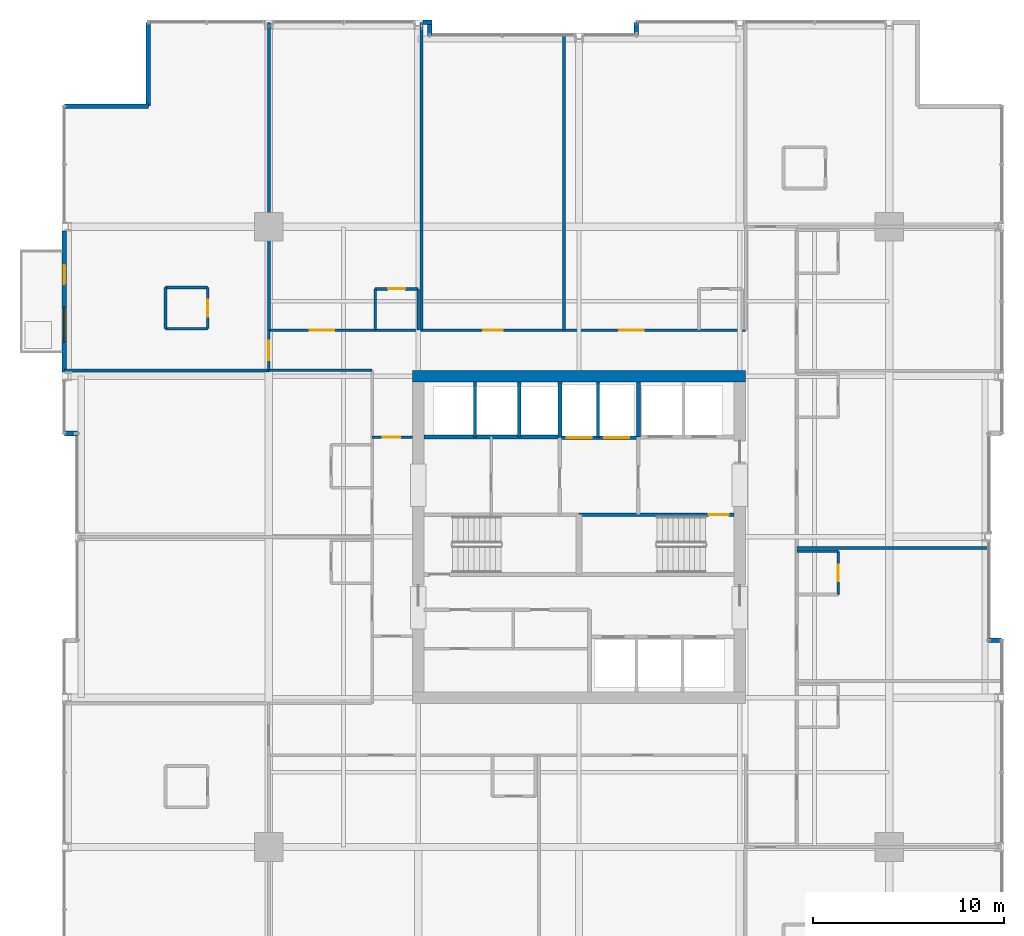
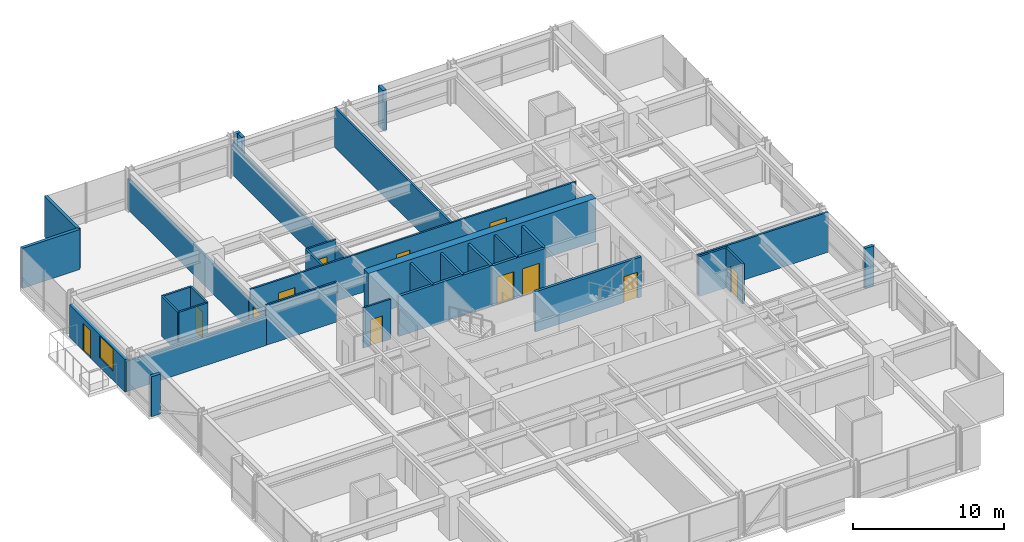
# One storey, part 30 of 34: 35 walls, 12 doors, 1 window, 13 openings.
"""IFC4 building model written with IfcOpenShell, lengths in metres."""

from ifc_helpers import new_model, si_unit, direction, frame, frame_2d, origin, place, context, subcontext, project, spatial, rectangle, extrude, material, layer, layer_set, type_object, element, fill, save


model = new_model("IFC4")

# Units and contexts
model_context = context("Model", 3, precision=1e-05, world=origin(), true_north=direction((0.0, 1.0)))
body_context = subcontext(model_context, "Body", "Model", "MODEL_VIEW")
ifc_project = project(units=[si_unit("LENGTHUNIT", "METRE"), si_unit("AREAUNIT", "SQUARE_METRE"), si_unit("VOLUMEUNIT", "CUBIC_METRE"), si_unit("PLANEANGLEUNIT", "RADIAN"), si_unit("MASSUNIT", "GRAM", prefix="KILO")], contexts=[model_context])

# Site, building, storey
site_placement = place(None, origin())
site = spatial("IfcSite", under=ifc_project, at=site_placement, CompositionType="ELEMENT")
building_placement = place(site_placement, origin())
building = spatial("IfcBuilding", under=site, at=building_placement, Name="Drelvath Grand Hotel", CompositionType="ELEMENT")
storey_placement = place(building_placement, frame((0.0, 0.0, 109.300048828125)))
storey = spatial("IfcBuildingStorey", under=building, at=storey_placement, Name="L27", CompositionType="ELEMENT", Elevation=109.300048828125)

# Wall
ifc_material_1 = material(Name="Concrete C40/50", Category="concrete")
ifc_layer_1 = layer(ifc_material_1, 0.199951171875)
ifc_layer_set_1 = layer_set([ifc_layer_1], Name="Concrete C40/50")
wall_type_1 = type_object("IfcWallType", Name="Core Hoistway Fire Wall 200", PredefinedType="SOLIDWALL", material=ifc_layer_set_1)
wall_1_placement = place(storey_placement, frame((3.10009765625, 32.219970703125, 0.0), z_axis=(0.0, 0.0, 1.0), x_axis=(0.0, 1.0, 0.0)))
element("IfcWall", 1, at=wall_1_placement, inside=storey, type_object=wall_type_1, Name="L27 FSAE Hoistway West Wall", PredefinedType="SOLIDWALL", context=body_context, shape_type="SweptSolid", body=[
    extrude(rectangle(XDim=2.880126953125, YDim=0.199951171875, at=frame_2d((1.43994140625, 0.0))), origin(), (0.0, 0.0, 1.0), 3.239990234375),
])

# Wall, openings, doors
wall_2_placement = place(storey_placement, frame((-1.0, 32.179931640625, 0.0), z_axis=(0.0, 0.0, 1.0), x_axis=(1.0, 0.0, 0.0)))
wall_2 = element("IfcWall", 2, at=wall_2_placement, inside=storey, type_object=wall_type_1, Name="L27 Service Lift Hoistway Wall", PredefinedType="SOLIDWALL", context=body_context, shape_type="SweptSolid", body=[
    extrude(rectangle(XDim=4.10009765625, YDim=0.199951171875, at=frame_2d((2.050048828125, 0.0))), origin(), (0.0, 0.0, 1.0), 3.239990234375),
])
opening_1_placement = place(wall_2_placement, frame((0.3701171875, 0.0, 0.0)))
opening_1 = element("IfcOpeningElement", 3, at=opening_1_placement, cuts=wall_2, Name="Opening LD-SV-2", PredefinedType="OPENING", context=body_context, shape_type="SweptSolid", body=[
    extrude(rectangle(XDim=1.300048828125, YDim=2.199951171875, at=frame_2d((0.64990234375, 1.10009765625))), frame((0.0, 0.10986328125, 0.0), z_axis=(0.0, -1.0, 0.0), x_axis=(1.0, 0.0, 0.0)), (0.0, 0.0, 1.0), 0.219970703125),
])
opening_2_placement = place(wall_2_placement, frame((2.330078125, 0.0, 0.0)))
opening_2 = element("IfcOpeningElement", 4, at=opening_2_placement, cuts=wall_2, Name="Opening LD-SV-1", PredefinedType="OPENING", context=body_context, shape_type="SweptSolid", body=[
    extrude(rectangle(XDim=1.300048828125, YDim=2.199951171875, at=frame_2d((0.64990234375, 1.10009765625))), frame((0.0, 0.10986328125, 0.0), z_axis=(0.0, -1.0, 0.0), x_axis=(1.0, 0.0, 0.0)), (0.0, 0.0, 1.0), 0.219970703125),
])
ifc_material_2 = material(Name="Stainless Steel S355", Category="steel")
door_type_1 = type_object("IfcDoorType", Name="Service Lift Sliding Landing Door 1300x2200", OperationType="NOTDEFINED", PredefinedType="DOOR", material=ifc_material_2)
door_1_placement = place(opening_1_placement, origin())
door_1 = element("IfcDoor", 5, at=door_1_placement, inside=storey, type_object=door_type_1, Name="L27 Lift SV-2 Landing Door", OperationType="SLIDING_TO_LEFT", OverallHeight=2.199951171875, OverallWidth=1.300048828125, PredefinedType="DOOR", context=body_context, shape_type="SweptSolid", body=[
    extrude(rectangle(XDim=1.300048828125, YDim=2.199951171875, at=frame_2d((0.64990234375, 1.10009765625))), frame((0.0, 0.02490234375, 0.0), z_axis=(0.0, -1.0, 0.0), x_axis=(1.0, 0.0, 0.0)), (0.0, 0.0, 1.0), 0.050048828125),
])
fill(opening_1, door_1)
door_2_placement = place(opening_2_placement, origin())
door_2 = element("IfcDoor", 6, at=door_2_placement, inside=storey, type_object=door_type_1, Name="L27 Lift SV-1 Landing Door", OperationType="SLIDING_TO_LEFT", OverallHeight=2.199951171875, OverallWidth=1.300048828125, PredefinedType="DOOR", context=body_context, shape_type="SweptSolid", body=[
    extrude(rectangle(XDim=1.300048828125, YDim=2.199951171875, at=frame_2d((0.64990234375, 1.10009765625))), frame((0.0, 0.02490234375, 0.0), z_axis=(0.0, -1.0, 0.0), x_axis=(1.0, 0.0, 0.0)), (0.0, 0.0, 1.0), 0.050048828125),
])
fill(opening_2, door_2)

# Walls
wall_3_placement = place(storey_placement, frame((-1.0, 32.179931640625, 0.0), z_axis=(0.0, 0.0, 1.0), x_axis=(0.0, 1.0, 0.0)))
element("IfcWall", 7, at=wall_3_placement, inside=storey, type_object=wall_type_1, Name="L27 Service Lift West Wall", PredefinedType="SOLIDWALL", context=body_context, shape_type="SweptSolid", body=[
    extrude(rectangle(XDim=2.920166015625, YDim=0.199951171875, at=frame_2d((1.4599609375, 0.0))), origin(), (0.0, 0.0, 1.0), 3.239990234375),
])
wall_4_placement = place(storey_placement, frame((-8.10009765625, 32.219970703125, 0.0), z_axis=(0.0, 0.0, 1.0), x_axis=(1.0, 0.0, 0.0)))
element("IfcWall", 8, at=wall_4_placement, inside=storey, type_object=wall_type_1, Name="L27 Bank 3 Hoistway Wall", PredefinedType="SOLIDWALL", context=body_context, shape_type="SweptSolid", body=[
    extrude(rectangle(XDim=7.10009765625, YDim=0.199951171875, at=frame_2d((3.550048828125, 0.0))), origin(), (0.0, 0.0, 1.0), 3.239990234375),
])

# Wall, opening, door
ifc_layer_2 = layer(ifc_material_1, 0.199951171875)
ifc_layer_set_2 = layer_set([ifc_layer_2], Name="Concrete C40/50")
wall_type_2 = type_object("IfcWallType", Name="Core Shaft Fire Wall 200", PredefinedType="SOLIDWALL", material=ifc_layer_set_2)
wall_5_placement = place(storey_placement, frame((8.10009765625, 28.159912109375, 0.0), z_axis=(0.0, 0.0, 1.0), x_axis=(-1.0, 0.0, 0.0)))
wall_5 = element("IfcWall", 9, at=wall_5_placement, inside=storey, type_object=wall_type_2, Name="L27 Stair ST-2 North Wall", PredefinedType="SOLIDWALL", context=body_context, shape_type="SweptSolid", body=[
    extrude(rectangle(XDim=8.10009765625, YDim=0.199951171875, at=frame_2d((4.050048828125, 0.0))), origin(), (0.0, 0.0, 1.0), 3.239990234375),
])
opening_3_placement = place(wall_5_placement, frame((0.280029296875, 0.0, 0.0)))
opening_3 = element("IfcOpeningElement", 10, at=opening_3_placement, cuts=wall_5, Name="Opening D-T2G2-002", PredefinedType="OPENING", context=body_context, shape_type="SweptSolid", body=[
    extrude(rectangle(XDim=1.050048828125, YDim=2.10009765625, at=frame_2d((0.52490234375, 1.050048828125))), frame((0.0, 0.10986328125, 0.0), z_axis=(0.0, -1.0, 0.0), x_axis=(1.0, 0.0, 0.0)), (0.0, 0.0, 1.0), 0.219970703125),
])
ifc_material_3 = material(Name="Painted Steel S275", Category="steel")
door_type_2 = type_object("IfcDoorType", Name="Tower Stairwell Fire Door 1050x2100", OperationType="NOTDEFINED", PredefinedType="DOOR", material=ifc_material_3)
door_3_placement = place(opening_3_placement, origin())
door_3 = element("IfcDoor", 11, at=door_3_placement, inside=storey, type_object=door_type_2, Name="L27 Exit Stair ST-2 Door", OperationType="SINGLE_SWING_LEFT", OverallHeight=2.10009765625, OverallWidth=1.050048828125, PredefinedType="DOOR", context=body_context, shape_type="SweptSolid", body=[
    extrude(rectangle(XDim=1.050048828125, YDim=2.10009765625, at=frame_2d((0.52490234375, 1.050048828125))), frame((0.0, 0.02490234375, 0.0), z_axis=(0.0, -1.0, 0.0), x_axis=(1.0, 0.0, 0.0)), (0.0, 0.0, 1.0), 0.050048828125),
])
fill(opening_3, door_3)

# Walls
ifc_material_4 = material(Name="Gypsum Fireboard Partition")
ifc_layer_3 = layer(ifc_material_4, 0.1650390625)
ifc_layer_set_3 = layer_set([ifc_layer_3], Name="Gypsum Fireboard Partition")
wall_type_3 = type_object("IfcWallType", Name="Core Shaft Partition 165", PredefinedType="PARTITIONING", material=ifc_layer_set_3)
wall_6_placement = place(storey_placement, frame((1.0, 32.179931640625, 0.0), z_axis=(0.0, 0.0, 1.0), x_axis=(0.0, 1.0, 0.0)))
element("IfcWall", 12, at=wall_6_placement, inside=storey, type_object=wall_type_3, Name="L27 Service Lift Divider", PredefinedType="PARTITIONING", context=body_context, shape_type="SweptSolid", body=[
    extrude(rectangle(XDim=2.920166015625, YDim=0.1650390625, at=frame_2d((1.4599609375, 0.0))), origin(), (0.0, 0.0, 1.0), 3.239990234375),
])
for number, where, z_axis, x_axis, name in (
    (13, (-5.43994140625, 32.219970703125, 0.0), (0.0, 0.0, 1.0), (0.0, 1.0, 0.0), "L27 Lift PE-7/8 Divider"),
    (14, (-3.1201171875, 32.219970703125, 0.0), (0.0, 0.0, 1.0), (0.0, 1.0, 0.0), "L27 Lift PE-8/9 Divider"),
):
    element("IfcWall", number, at=place(storey_placement, frame(where, z_axis=z_axis, x_axis=x_axis)), inside=storey, type_object=wall_type_3, Name=name, PredefinedType="PARTITIONING", context=body_context, shape_type="SweptSolid", body=[
        extrude(rectangle(XDim=2.880126953125, YDim=0.1650390625, at=frame_2d((1.43994140625, 0.0))), origin(), (0.0, 0.0, 1.0), 3.239990234375),
    ])

# Wall, opening, door
ifc_layer_4 = layer(ifc_material_4, 0.135009765625)
ifc_layer_set_4 = layer_set([ifc_layer_4], Name="Gypsum Fireboard Partition")
wall_type_4 = type_object("IfcWallType", Name="Corridor Fire Barrier Wall 135", PredefinedType="PARTITIONING", material=ifc_layer_set_4)
wall_7_placement = place(storey_placement, frame((-10.800048828125, 32.199951171875, 0.0), z_axis=(0.0, 0.0, 1.0), x_axis=(1.0, 0.0, 0.0)))
wall_7 = element("IfcWall", 15, at=wall_7_placement, inside=storey, type_object=wall_type_4, Name="L27 West Foyer North Wall", PredefinedType="PARTITIONING", context=body_context, shape_type="SweptSolid", body=[
    extrude(rectangle(XDim=2.10009765625, YDim=0.135009765625, at=frame_2d((1.050048828125, 0.0))), origin(), (0.0, 0.0, 1.0), 3.239990234375),
])
opening_4_placement = place(wall_7_placement, frame((0.550048828125, 0.0, 0.0)))
opening_4 = element("IfcOpeningElement", 16, at=opening_4_placement, cuts=wall_7, Name="Opening D-T2G2-020", PredefinedType="OPENING", context=body_context, shape_type="SweptSolid", body=[
    extrude(rectangle(XDim=0.919921875, YDim=2.10009765625, at=frame_2d((0.4599609375, 1.050048828125))), frame((0.0, 0.077392578125, 0.0), z_axis=(0.0, -1.0, 0.0), x_axis=(1.0, 0.0, 0.0)), (0.0, 0.0, 1.0), 0.155029296875),
])
door_type_3 = type_object("IfcDoorType", Name="Staff Utility Door 920x2100", OperationType="NOTDEFINED", PredefinedType="DOOR", material=ifc_material_3)
door_4_placement = place(opening_4_placement, origin())
door_4 = element("IfcDoor", 17, at=door_4_placement, inside=storey, type_object=door_type_3, Name="L27 West Pantry Door", OperationType="SINGLE_SWING_LEFT", OverallHeight=2.10009765625, OverallWidth=0.919921875, PredefinedType="DOOR", context=body_context, shape_type="SweptSolid", body=[
    extrude(rectangle(XDim=0.919921875, YDim=2.10009765625, at=frame_2d((0.4599609375, 1.050048828125))), frame((0.0, 0.02490234375, 0.0), z_axis=(0.0, -1.0, 0.0), x_axis=(1.0, 0.0, 0.0)), (0.0, 0.0, 1.0), 0.050048828125),
])
fill(opening_4, door_4)

# Wall
wall_8_placement = place(storey_placement, frame((-16.199951171875, 35.699951171875, 0.0), z_axis=(0.0, 0.0, 1.0), x_axis=(1.0, 0.0, 0.0)))
element("IfcWall", 18, at=wall_8_placement, inside=storey, type_object=wall_type_4, Name="L27 NW Stub South Wall", PredefinedType="PARTITIONING", context=body_context, shape_type="SweptSolid", body=[
    extrude(rectangle(XDim=5.39990234375, YDim=0.135009765625, at=frame_2d((2.699951171875, 0.0))), origin(), (0.0, 0.0, 1.0), 3.239990234375),
])

# Wall, openings, doors
wall_9_placement = place(storey_placement, frame((-16.199951171875, 37.800048828125, 0.0), z_axis=(0.0, 0.0, 1.0), x_axis=(1.0, 0.0, 0.0)))
wall_9 = element("IfcWall", 19, at=wall_9_placement, inside=storey, type_object=wall_type_4, Name="L27 North Stub Corridor Wall", PredefinedType="PARTITIONING", context=body_context, shape_type="SweptSolid", body=[
    extrude(rectangle(XDim=24.89990234375, YDim=0.135009765625, at=frame_2d((12.449951171875, 0.0))), origin(), (0.0, 0.0, 1.0), 3.239990234375),
])
opening_5_placement = place(wall_9_placement, frame((2.14501953125, 0.0, 0.0)))
opening_5 = element("IfcOpeningElement", 20, at=opening_5_placement, cuts=wall_9, Name="Opening D-T2G2-033", PredefinedType="OPENING", context=body_context, shape_type="SweptSolid", body=[
    extrude(rectangle(XDim=1.260009765625, YDim=2.199951171875, at=frame_2d((0.6298828125, 1.10009765625))), frame((0.0, 0.077392578125, 0.0), z_axis=(0.0, -1.0, 0.0), x_axis=(1.0, 0.0, 0.0)), (0.0, 0.0, 1.0), 0.155029296875),
])
opening_6_placement = place(wall_9_placement, frame((11.18701171875, 0.0, 0.0)))
opening_6 = element("IfcOpeningElement", 21, at=opening_6_placement, cuts=wall_9, Name="Opening D-T2G2-034", PredefinedType="OPENING", context=body_context, shape_type="SweptSolid", body=[
    extrude(rectangle(XDim=1.02001953125, YDim=2.14990234375, at=frame_2d((0.510009765625, 1.074951171875))), frame((0.0, 0.077392578125, 0.0), z_axis=(0.0, -1.0, 0.0), x_axis=(1.0, 0.0, 0.0)), (0.0, 0.0, 1.0), 0.155029296875),
])
opening_7_placement = place(wall_9_placement, frame((18.31201171875, 0.0, 0.0)))
opening_7 = element("IfcOpeningElement", 22, at=opening_7_placement, cuts=wall_9, Name="Opening D-T2G2-036", PredefinedType="OPENING", context=body_context, shape_type="SweptSolid", body=[
    extrude(rectangle(XDim=1.260009765625, YDim=2.199951171875, at=frame_2d((0.6298828125, 1.10009765625))), frame((0.0, 0.077392578125, 0.0), z_axis=(0.0, -1.0, 0.0), x_axis=(1.0, 0.0, 0.0)), (0.0, 0.0, 1.0), 0.155029296875),
])
ifc_material_5 = material(Name="Hardwood Walnut Timber", Category="wood")
door_type_4 = type_object("IfcDoorType", Name="Amenity Meeting Fire Door 1020x2150", OperationType="NOTDEFINED", PredefinedType="DOOR", material=ifc_material_5)
door_5_placement = place(opening_6_placement, origin())
door_5 = element("IfcDoor", 23, at=door_5_placement, inside=storey, type_object=door_type_4, Name="L27 Conference Room Entry Door", OperationType="SINGLE_SWING_LEFT", OverallHeight=2.14990234375, OverallWidth=1.02001953125, PredefinedType="DOOR", context=body_context, shape_type="SweptSolid", body=[
    extrude(rectangle(XDim=1.02001953125, YDim=2.14990234375, at=frame_2d((0.510009765625, 1.074951171875))), frame((0.0, 0.02490234375, 0.0), z_axis=(0.0, -1.0, 0.0), x_axis=(1.0, 0.0, 0.0)), (0.0, 0.0, 1.0), 0.050048828125),
])
fill(opening_6, door_5)
door_type_5 = type_object("IfcDoorType", Name="Suite Entrance Fire Door 1260x2200", OperationType="NOTDEFINED", PredefinedType="DOOR", material=ifc_material_5)
door_6_placement = place(opening_5_placement, origin())
door_6 = element("IfcDoor", 24, at=door_6_placement, inside=storey, type_object=door_type_5, Name="L27 Corner Suite Entry Door", OperationType="SINGLE_SWING_RIGHT", OverallHeight=2.199951171875, OverallWidth=1.260009765625, PredefinedType="DOOR", context=body_context, shape_type="SweptSolid", body=[
    extrude(rectangle(XDim=1.260009765625, YDim=2.199951171875, at=frame_2d((0.6298828125, 1.10009765625))), frame((0.0, 0.02490234375, 0.0), z_axis=(0.0, -1.0, 0.0), x_axis=(1.0, 0.0, 0.0)), (0.0, 0.0, 1.0), 0.050048828125),
])
fill(opening_5, door_6)
door_7_placement = place(opening_7_placement, origin())
door_7 = element("IfcDoor", 25, at=door_7_placement, inside=storey, type_object=door_type_5, Name="L27 Corner Suite Entry Door", OperationType="SINGLE_SWING_LEFT", OverallHeight=2.199951171875, OverallWidth=1.260009765625, PredefinedType="DOOR", context=body_context, shape_type="SweptSolid", body=[
    extrude(rectangle(XDim=1.260009765625, YDim=2.199951171875, at=frame_2d((0.6298828125, 1.10009765625))), frame((0.0, 0.02490234375, 0.0), z_axis=(0.0, -1.0, 0.0), x_axis=(1.0, 0.0, 0.0)), (0.0, 0.0, 1.0), 0.050048828125),
])
fill(opening_7, door_7)

# Wall, opening, door
wall_10_placement = place(storey_placement, frame((-16.199951171875, 35.699951171875, 0.0), z_axis=(0.0, 0.0, 1.0), x_axis=(0.0, 1.0, 0.0)))
wall_10 = element("IfcWall", 26, at=wall_10_placement, inside=storey, type_object=wall_type_4, Name="L27 North Stub West End", PredefinedType="PARTITIONING", context=body_context, shape_type="SweptSolid", body=[
    extrude(rectangle(XDim=2.10009765625, YDim=0.135009765625, at=frame_2d((1.050048828125, 0.0))), origin(), (0.0, 0.0, 1.0), 2.45166015625),
])
opening_8_placement = place(wall_10_placement, frame((0.52001953125, 0.0, 0.0)))
opening_8 = element("IfcOpeningElement", 27, at=opening_8_placement, cuts=wall_10, Name="Opening D-T2G2-024", PredefinedType="OPENING", context=body_context, shape_type="SweptSolid", body=[
    extrude(rectangle(XDim=1.02001953125, YDim=2.14990234375, at=frame_2d((0.510009765625, 1.074951171875))), frame((0.0, 0.077392578125, 0.0), z_axis=(0.0, -1.0, 0.0), x_axis=(1.0, 0.0, 0.0)), (0.0, 0.0, 1.0), 0.155029296875),
])
door_8_placement = place(opening_8_placement, origin())
door_8 = element("IfcDoor", 28, at=door_8_placement, inside=storey, type_object=door_type_4, Name="L27 Corner Suite Entry Door", OperationType="SINGLE_SWING_LEFT", OverallHeight=2.14990234375, OverallWidth=1.02001953125, PredefinedType="DOOR", context=body_context, shape_type="SweptSolid", body=[
    extrude(rectangle(XDim=1.02001953125, YDim=2.14990234375, at=frame_2d((0.510009765625, 1.074951171875))), frame((0.0, 0.02490234375, 0.0), z_axis=(0.0, -1.0, 0.0), x_axis=(1.0, 0.0, 0.0)), (0.0, 0.0, 1.0), 0.050048828125),
])
fill(opening_8, door_8)

# Walls
ifc_material_6 = material(Name="Moisture-Resistant Gypsum Board")
ifc_layer_5 = layer(ifc_material_6, 0.139892578125)
ifc_layer_set_5 = layer_set([ifc_layer_5], Name="Moisture-Resistant Gypsum Board")
wall_type_5 = type_object("IfcWallType", Name="En-Suite Plumbing Wall 140", PredefinedType="PLUMBINGWALL", material=ifc_layer_set_5)
for number, where, z_axis, x_axis, name in (
    (29, (-21.60009765625, 37.8798828125, 0.0), (0.0, 0.0, 1.0), (1.0, 0.0, 0.0), "L27 Corner En-Suite South"),
    (30, (-21.60009765625, 40.030029296875, 0.0), (0.0, 0.0, 1.0), (1.0, 0.0, 0.0), "L27 Corner En-Suite North"),
):
    element("IfcWall", number, at=place(storey_placement, frame(where, z_axis=z_axis, x_axis=x_axis)), inside=storey, type_object=wall_type_5, Name=name, PredefinedType="PLUMBINGWALL", context=body_context, shape_type="SweptSolid", body=[
        extrude(rectangle(XDim=2.2001953125, YDim=0.139892578125, at=frame_2d((1.10009765625, 0.0))), origin(), (0.0, 0.0, 1.0), 3.239990234375),
    ])
wall_11_placement = place(storey_placement, frame((-21.60009765625, 37.8798828125, 0.0), z_axis=(0.0, 0.0, 1.0), x_axis=(0.0, 1.0, 0.0)))
element("IfcWall", 31, at=wall_11_placement, inside=storey, type_object=wall_type_5, Name="L27 Corner En-Suite West", PredefinedType="PLUMBINGWALL", context=body_context, shape_type="SweptSolid", body=[
    extrude(rectangle(XDim=2.150146484375, YDim=0.139892578125, at=frame_2d((1.0751953125, 0.0))), origin(), (0.0, 0.0, 1.0), 3.239990234375),
])

# Wall, opening, door
wall_12_placement = place(storey_placement, frame((-19.39990234375, 37.8798828125, 0.0), z_axis=(0.0, 0.0, 1.0), x_axis=(0.0, 1.0, 0.0)))
wall_12 = element("IfcWall", 32, at=wall_12_placement, inside=storey, type_object=wall_type_5, Name="L27 Corner En-Suite East", PredefinedType="PLUMBINGWALL", context=body_context, shape_type="SweptSolid", body=[
    extrude(rectangle(XDim=2.150146484375, YDim=0.139892578125, at=frame_2d((1.0751953125, 0.0))), origin(), (0.0, 0.0, 1.0), 3.239990234375),
])
opening_9_placement = place(wall_12_placement, frame((0.6201171875, 0.0, 0.0)))
opening_9 = element("IfcOpeningElement", 33, at=opening_9_placement, cuts=wall_12, Name="Opening D-T2G2-023", PredefinedType="OPENING", context=body_context, shape_type="SweptSolid", body=[
    extrude(rectangle(XDim=0.8798828125, YDim=2.10009765625, at=frame_2d((0.43994140625, 1.050048828125))), frame((0.0, 0.079833984375, 0.0), z_axis=(0.0, -1.0, 0.0), x_axis=(1.0, 0.0, 0.0)), (0.0, 0.0, 1.0), 0.159912109375),
])
door_type_6 = type_object("IfcDoorType", Name="En-Suite Bathroom Door 880x2100", OperationType="NOTDEFINED", PredefinedType="DOOR", material=ifc_material_5)
door_9_placement = place(opening_9_placement, origin())
door_9 = element("IfcDoor", 34, at=door_9_placement, inside=storey, type_object=door_type_6, Name="L27 Corner En-Suite Door", OperationType="SINGLE_SWING_RIGHT", OverallHeight=2.10009765625, OverallWidth=0.8798828125, PredefinedType="DOOR", context=body_context, shape_type="SweptSolid", body=[
    extrude(rectangle(XDim=0.8798828125, YDim=2.10009765625, at=frame_2d((0.43994140625, 1.050048828125))), frame((0.0, 0.02490234375, 0.0), z_axis=(0.0, -1.0, 0.0), x_axis=(1.0, 0.0, 0.0)), (0.0, 0.0, 1.0), 0.050048828125),
])
fill(opening_9, door_9)

# Walls
wall_13_placement = place(storey_placement, frame((-10.64990234375, 37.800048828125, 0.0), z_axis=(0.0, 0.0, 1.0), x_axis=(0.0, 1.0, 0.0)))
element("IfcWall", 35, at=wall_13_placement, inside=storey, type_object=wall_type_5, Name="L27 En-Suite Left Wall", PredefinedType="PLUMBINGWALL", context=body_context, shape_type="SweptSolid", body=[
    extrude(rectangle(XDim=2.14990234375, YDim=0.139892578125, at=frame_2d((1.074951171875, 0.0))), origin(), (0.0, 0.0, 1.0), 3.239990234375),
])
wall_14_placement = place(storey_placement, frame((-8.39990234375, 37.800048828125, 0.0), z_axis=(0.0, 0.0, 1.0), x_axis=(0.0, 1.0, 0.0)))
element("IfcWall", 36, at=wall_14_placement, inside=storey, type_object=wall_type_5, Name="L27 En-Suite Right Wall", PredefinedType="PLUMBINGWALL", context=body_context, shape_type="SweptSolid", body=[
    extrude(rectangle(XDim=2.14990234375, YDim=0.139892578125, at=frame_2d((1.074951171875, 0.0))), origin(), (0.0, 0.0, 1.0), 2.617431640625),
])

# Wall, opening, door
wall_15_placement = place(storey_placement, frame((-10.64990234375, 39.949951171875, 0.0), z_axis=(0.0, 0.0, 1.0), x_axis=(1.0, 0.0, 0.0)))
wall_15 = element("IfcWall", 37, at=wall_15_placement, inside=storey, type_object=wall_type_5, Name="L27 En-Suite Front Wall", PredefinedType="PLUMBINGWALL", context=body_context, shape_type="SweptSolid", body=[
    extrude(rectangle(XDim=2.25, YDim=0.139892578125, at=frame_2d((1.125, 0.0))), origin(), (0.0, 0.0, 1.0), 3.239990234375),
])
opening_10_placement = place(wall_15_placement, frame((0.68505859375, 0.0, 0.0)))
opening_10 = element("IfcOpeningElement", 38, at=opening_10_placement, cuts=wall_15, Name="Opening D-T2G2-032", PredefinedType="OPENING", context=body_context, shape_type="SweptSolid", body=[
    extrude(rectangle(XDim=0.8798828125, YDim=2.10009765625, at=frame_2d((0.43994140625, 1.050048828125))), frame((0.0, 0.079833984375, 0.0), z_axis=(0.0, -1.0, 0.0), x_axis=(1.0, 0.0, 0.0)), (0.0, 0.0, 1.0), 0.159912109375),
])
door_10_placement = place(opening_10_placement, origin())
door_10 = element("IfcDoor", 39, at=door_10_placement, inside=storey, type_object=door_type_6, Name="L27 En-Suite Bathroom Door", OperationType="SINGLE_SWING_LEFT", OverallHeight=2.10009765625, OverallWidth=0.8798828125, PredefinedType="DOOR", context=body_context, shape_type="SweptSolid", body=[
    extrude(rectangle(XDim=0.8798828125, YDim=2.10009765625, at=frame_2d((0.43994140625, 1.050048828125))), frame((0.0, 0.02490234375, 0.0), z_axis=(0.0, -1.0, 0.0), x_axis=(1.0, 0.0, 0.0)), (0.0, 0.0, 1.0), 0.050048828125),
])
fill(opening_10, door_10)

# Wall
wall_16_placement = place(storey_placement, frame((11.39990234375, 26.241455078125, 0.0), z_axis=(0.0, 0.0, 1.0), x_axis=(1.0, 0.0, 0.0)))
element("IfcWall", 40, at=wall_16_placement, inside=storey, type_object=wall_type_5, Name="L27 En-Suite Right Wall", PredefinedType="PLUMBINGWALL", context=body_context, shape_type="SweptSolid", body=[
    extrude(rectangle(XDim=2.150146484375, YDim=0.139892578125, at=frame_2d((1.0751953125, 0.0))), origin(), (0.0, 0.0, 1.0), 3.239990234375),
])

# Wall, opening, door
wall_17_placement = place(storey_placement, frame((13.550048828125, 23.991455078125, 0.0), z_axis=(0.0, 0.0, 1.0), x_axis=(0.0, 1.0, 0.0)))
wall_17 = element("IfcWall", 41, at=wall_17_placement, inside=storey, type_object=wall_type_5, Name="L27 En-Suite Front Wall", PredefinedType="PLUMBINGWALL", context=body_context, shape_type="SweptSolid", body=[
    extrude(rectangle(XDim=2.25, YDim=0.139892578125, at=frame_2d((1.125, 0.0))), origin(), (0.0, 0.0, 1.0), 3.239990234375),
])
opening_11_placement = place(wall_17_placement, frame((0.68505859375, 0.0, 0.0)))
opening_11 = element("IfcOpeningElement", 42, at=opening_11_placement, cuts=wall_17, Name="Opening D-T2G2-039", PredefinedType="OPENING", context=body_context, shape_type="SweptSolid", body=[
    extrude(rectangle(XDim=0.8798828125, YDim=2.10009765625, at=frame_2d((0.43994140625, 1.050048828125))), frame((0.0, 0.079833984375, 0.0), z_axis=(0.0, -1.0, 0.0), x_axis=(1.0, 0.0, 0.0)), (0.0, 0.0, 1.0), 0.159912109375),
])
door_11_placement = place(opening_11_placement, origin())
door_11 = element("IfcDoor", 43, at=door_11_placement, inside=storey, type_object=door_type_6, Name="L27 En-Suite Bathroom Door", OperationType="SINGLE_SWING_RIGHT", OverallHeight=2.10009765625, OverallWidth=0.8798828125, PredefinedType="DOOR", context=body_context, shape_type="SweptSolid", body=[
    extrude(rectangle(XDim=0.8798828125, YDim=2.10009765625, at=frame_2d((0.43994140625, 1.050048828125))), frame((0.0, 0.02490234375, 0.0), z_axis=(0.0, -1.0, 0.0), x_axis=(1.0, 0.0, 0.0)), (0.0, 0.0, 1.0), 0.050048828125),
])
fill(opening_11, door_11)

# Walls
ifc_material_7 = material(Name="Gypsum Acoustic Partition")
ifc_layer_6 = layer(ifc_material_7, 0.14990234375)
ifc_layer_set_6 = layer_set([ifc_layer_6], Name="Gypsum Acoustic Partition")
wall_type_6 = type_object("IfcWallType", Name="Guestroom Demising Wall 150", PredefinedType="PARTITIONING", material=ifc_layer_set_6)
wall_18_placement = place(storey_placement, frame((-8.219970703125, 37.800048828125, 0.0), z_axis=(0.0, 0.0, 1.0), x_axis=(0.0, 1.0, 0.0)))
element("IfcWall", 44, at=wall_18_placement, inside=storey, type_object=wall_type_6, Name="L27 North Demising 1", PredefinedType="PARTITIONING", context=body_context, shape_type="SweptSolid", body=[
    extrude(rectangle(XDim=16.079833984375, YDim=0.14990234375, at=frame_2d((8.0400390625, 0.0))), origin(), (0.0, 0.0, 1.0), 2.45166015625),
])
wall_19_placement = place(storey_placement, frame((-0.78564453125, 37.800048828125, 0.0), z_axis=(0.0, 0.0, 1.0), x_axis=(0.0, 1.0, 0.0)))
element("IfcWall", 45, at=wall_19_placement, inside=storey, type_object=wall_type_6, Name="L27 North Demising 2", PredefinedType="PARTITIONING", context=body_context, shape_type="SweptSolid", body=[
    extrude(rectangle(XDim=15.39990234375, YDim=0.14990234375, at=frame_2d((7.699951171875, 0.0))), origin(), (0.0, 0.0, 1.0), 3.239990234375),
])
wall_20_placement = place(storey_placement, frame((11.39990234375, 26.42138671875, 0.0), z_axis=(0.0, 0.0, 1.0), x_axis=(1.0, 0.0, 0.0)))
element("IfcWall", 46, at=wall_20_placement, inside=storey, type_object=wall_type_6, Name="L27 East Demising 2", PredefinedType="PARTITIONING", context=body_context, shape_type="SweptSolid", body=[
    extrude(rectangle(XDim=10.0, YDim=0.14990234375, at=frame_2d((5.0, 0.0))), origin(), (0.0, 0.0, 1.0), 3.239990234375),
])
ifc_material_8 = material(Name="Concrete f'c 70 MPa", Category="concrete")
ifc_layer_7 = layer(ifc_material_8, 0.60009765625)
ifc_layer_set_7 = layer_set([ifc_layer_7], Name="Concrete f'c 70 MPa")
wall_type_7 = type_object("IfcWallType", Name="Lower Core RC Shear Wall 600", PredefinedType="SHEAR", material=ifc_layer_set_7)
wall_21_placement = place(storey_placement, frame((-8.699951171875, 35.39990234375, 0.0), z_axis=(0.0, 0.0, 1.0), x_axis=(1.0, 0.0, 0.0)))
element("IfcWall", 47, at=wall_21_placement, inside=storey, type_object=wall_type_7, Name="L27 Central Core Shear Wall N", PredefinedType="SHEAR", context=body_context, shape_type="SweptSolid", body=[
    extrude(rectangle(XDim=17.39990234375, YDim=0.60009765625, at=frame_2d((8.699951171875, 0.0))), origin(), (0.0, 0.0, 1.0), 3.5),
])
ifc_layer_8 = layer(ifc_material_7, 0.1650390625)
ifc_layer_set_8 = layer_set([ifc_layer_8], Name="Gypsum Acoustic Partition")
wall_type_8 = type_object("IfcWallType", Name="Suite Demising Wall 165", PredefinedType="PARTITIONING", material=ifc_layer_set_8)
wall_22_placement = place(storey_placement, frame((-16.199951171875, 37.800048828125, 0.0), z_axis=(0.0, 0.0, 1.0), x_axis=(0.0, 1.0, 0.0)))
element("IfcWall", 48, at=wall_22_placement, inside=storey, type_object=wall_type_8, Name="L27 NW Suite East Wall", PredefinedType="PARTITIONING", context=body_context, shape_type="SweptSolid", body=[
    extrude(rectangle(XDim=16.079833984375, YDim=0.1650390625, at=frame_2d((8.0400390625, 0.0))), origin(), (0.0, 0.0, 1.0), 2.45166015625),
])
wall_23_placement = place(storey_placement, frame((-26.8798828125, 35.699951171875, 0.0), z_axis=(0.0, 0.0, 1.0), x_axis=(1.0, 0.0, 0.0)))
element("IfcWall", 49, at=wall_23_placement, inside=storey, type_object=wall_type_8, Name="L27 NW Suite South Wall", PredefinedType="PARTITIONING", context=body_context, shape_type="SweptSolid", body=[
    extrude(rectangle(XDim=10.679931640625, YDim=0.1650390625, at=frame_2d((5.33984375, 0.0))), origin(), (0.0, 0.0, 1.0), 2.45166015625),
])

# Wall, openings, window, door
ifc_material_9 = material(Name="Pale-Metal Insulated Aluminium Spandrel Assembly", Category="aluminium")
ifc_layer_9 = layer(ifc_material_9, 0.239990234375)
ifc_layer_set_9 = layer_set([ifc_layer_9], Name="Pale-Metal Insulated Aluminium Spandrel Assembly")
wall_type_9 = type_object("IfcWallType", Name="Tower Insulated Metal Spandrel Closure Wall 240", PredefinedType="STANDARD", material=ifc_layer_set_9)
wall_24_placement = place(storey_placement, frame((-26.8798828125, 35.61962890625, 0.0), z_axis=(0.0, 0.0, 1.0), x_axis=(0.0, 1.0, 0.0)))
wall_24 = element("IfcWall", 50, at=wall_24_placement, inside=storey, type_object=wall_type_9, Name="L27 Exterior Terrace Door Bay Wall WN2", PredefinedType="STANDARD", context=body_context, shape_type="SweptSolid", body=[
    extrude(rectangle(XDim=7.36083984375, YDim=0.239990234375, at=frame_2d((3.680419921875, 0.0))), origin(), (0.0, 0.0, 1.0), 2.62890625),
])
opening_12_placement = place(wall_24_placement, frame((4.580322265625, 0.0, 0.0)))
opening_12 = element("IfcOpeningElement", 51, at=opening_12_placement, cuts=wall_24, Name="Opening TD-1000", PredefinedType="OPENING", context=body_context, shape_type="SweptSolid", body=[
    extrude(rectangle(XDim=1.0, YDim=2.199951171875, at=frame_2d((0.5, 1.10009765625))), frame((0.0, 0.1298828125, 0.0), z_axis=(0.0, -1.0, 0.0), x_axis=(1.0, 0.0, 0.0)), (0.0, 0.0, 1.0), 0.260009765625),
])
opening_13_placement = place(wall_24_placement, frame((1.564208984375, 0.0, 0.75)))
opening_13 = element("IfcOpeningElement", 52, at=opening_13_placement, cuts=wall_24, Name="Opening W-02", PredefinedType="OPENING", context=body_context, shape_type="SweptSolid", body=[
    extrude(rectangle(XDim=1.800048828125, YDim=1.779052734375, at=frame_2d((0.89990234375, 0.8896484375))), frame((0.0, 0.1298828125, 0.0), z_axis=(0.0, -1.0, 0.0), x_axis=(1.0, 0.0, 0.0)), (0.0, 0.0, 1.0), 0.260009765625),
])
ifc_material_10 = material(Name="Bronze Anodised Low-E Triple Glazing", Category="glass")
window_type = type_object("IfcWindowType", Name="Chicago Double-Pane Podium Window 1800x2400", PartitioningType="DOUBLE_PANEL_VERTICAL", PredefinedType="WINDOW", material=ifc_material_10)
window_placement = place(opening_13_placement, origin())
window = element("IfcWindow", 53, at=window_placement, inside=storey, type_object=window_type, Name="L27 Terrace Bay Companion Window WN2", OverallHeight=1.779052734375, OverallWidth=1.800048828125, PartitioningType="SINGLE_PANEL", PredefinedType="WINDOW", context=body_context, shape_type="SweptSolid", body=[
    extrude(rectangle(XDim=1.800048828125, YDim=1.779052734375, at=frame_2d((0.89990234375, 0.8896484375))), frame((0.0, 0.030029296875, 0.0), z_axis=(0.0, -1.0, 0.0), x_axis=(1.0, 0.0, 0.0)), (0.0, 0.0, 1.0), 0.06005859375),
])
fill(opening_13, window)
ifc_material_11 = material(Name="Anodised Aluminium Thermally Broken Glazed Door", Category="aluminium")
door_type_7 = type_object("IfcDoorType", Name="Terrace and Tree Balcony Glazed Door 1000x2200", OperationType="NOTDEFINED", PredefinedType="DOOR", material=ifc_material_11)
door_12_placement = place(opening_12_placement, origin())
door_12 = element("IfcDoor", 54, at=door_12_placement, inside=storey, type_object=door_type_7, Name="L27 Tree Balcony Door DOOR-L27-TBAL-1", OperationType="SINGLE_SWING_LEFT", OverallHeight=2.199951171875, OverallWidth=1.0, PredefinedType="DOOR", context=body_context, shape_type="SweptSolid", body=[
    extrude(rectangle(XDim=1.0, YDim=2.199951171875, at=frame_2d((0.5, 1.10009765625))), frame((0.0, 0.02490234375, 0.0), z_axis=(0.0, -1.0, 0.0), x_axis=(1.0, 0.0, 0.0)), (0.0, 0.0, 1.0), 0.050048828125),
])
fill(opening_12, door_12)

# Walls
wall_25_placement = place(storey_placement, frame((-8.14501953125, 53.8798828125, 0.0), z_axis=(0.0, 0.0, 1.0), x_axis=(1.0, 0.0, 0.0)))
element("IfcWall", 55, at=wall_25_placement, inside=storey, type_object=wall_type_9, Name="L27 Corner Pier Spandrel Wall NW3", PredefinedType="STANDARD", context=body_context, shape_type="SweptSolid", body=[
    extrude(rectangle(XDim=0.465087890625, YDim=0.239990234375, at=frame_2d((0.232421875, 0.0))), origin(), (0.0, 0.0, 1.0), 3.239990234375),
])
for number, where, z_axis, x_axis, name in (
    (56, (-26.8798828125, 49.5, 0.0), (0.0, 0.0, 1.0), (1.0, 0.0, 0.0), "L27 Notched Corner Return Spandrel Wall CNW1"),
    (57, (-22.5, 49.5, 0.0), (0.0, 0.0, 1.0), (0.0, 1.0, 0.0), "L27 Notched Corner Return Spandrel Wall CNW2"),
):
    element("IfcWall", number, at=place(storey_placement, frame(where, z_axis=z_axis, x_axis=x_axis)), inside=storey, type_object=wall_type_9, Name=name, PredefinedType="STANDARD", context=body_context, shape_type="SweptSolid", body=[
        extrude(rectangle(XDim=4.3798828125, YDim=0.239990234375, at=frame_2d((2.18994140625, 0.0))), origin(), (0.0, 0.0, 1.0), 3.239990234375),
    ])
wall_26_placement = place(storey_placement, frame((-26.199951171875, 32.39990234375, 0.0), z_axis=(0.0, 0.0, 1.0), x_axis=(-1.0, 0.0, 0.0)))
element("IfcWall", 58, at=wall_26_placement, inside=storey, type_object=wall_type_9, Name="L27 Notched Corner Return Spandrel Wall RW2", PredefinedType="STANDARD", context=body_context, shape_type="SweptSolid", body=[
    extrude(rectangle(XDim=0.679931640625, YDim=0.239990234375, at=frame_2d((0.33984375, 0.0))), origin(), (0.0, 0.0, 1.0), 3.239990234375),
])
wall_27_placement = place(storey_placement, frame((21.39990234375, 21.60009765625, 0.0), z_axis=(0.0, 0.0, 1.0), x_axis=(1.0, 0.0, 0.0)))
element("IfcWall", 59, at=wall_27_placement, inside=storey, type_object=wall_type_9, Name="L27 Notched Corner Return Spandrel Wall RE2", PredefinedType="STANDARD", context=body_context, shape_type="SweptSolid", body=[
    extrude(rectangle(XDim=0.68017578125, YDim=0.239990234375, at=frame_2d((0.340087890625, 0.0))), origin(), (0.0, 0.0, 1.0), 3.239990234375),
])
wall_28_placement = place(storey_placement, frame((-7.800048828125, 53.760009765625, 0.0), z_axis=(0.0, 0.0, 1.0), x_axis=(0.0, -1.0, 0.0)))
element("IfcWall", 60, at=wall_28_placement, inside=storey, type_object=wall_type_9, Name="L27 Notched Corner Return Spandrel Wall RN1", PredefinedType="STANDARD", context=body_context, shape_type="SweptSolid", body=[
    extrude(rectangle(XDim=0.56005859375, YDim=0.239990234375, at=frame_2d((0.280029296875, 0.0))), origin(), (0.0, 0.0, 1.0), 3.239990234375),
])
wall_29_placement = place(storey_placement, frame((3.0, 53.199951171875, 0.0), z_axis=(0.0, 0.0, 1.0), x_axis=(0.0, 1.0, 0.0)))
element("IfcWall", 61, at=wall_29_placement, inside=storey, type_object=wall_type_9, Name="L27 Notched Corner Return Spandrel Wall RN2", PredefinedType="STANDARD", context=body_context, shape_type="SweptSolid", body=[
    extrude(rectangle(XDim=0.679931640625, YDim=0.239990234375, at=frame_2d((0.33984375, 0.0))), origin(), (0.0, 0.0, 1.0), 3.239990234375),
])

save(model, "model.ifc")
